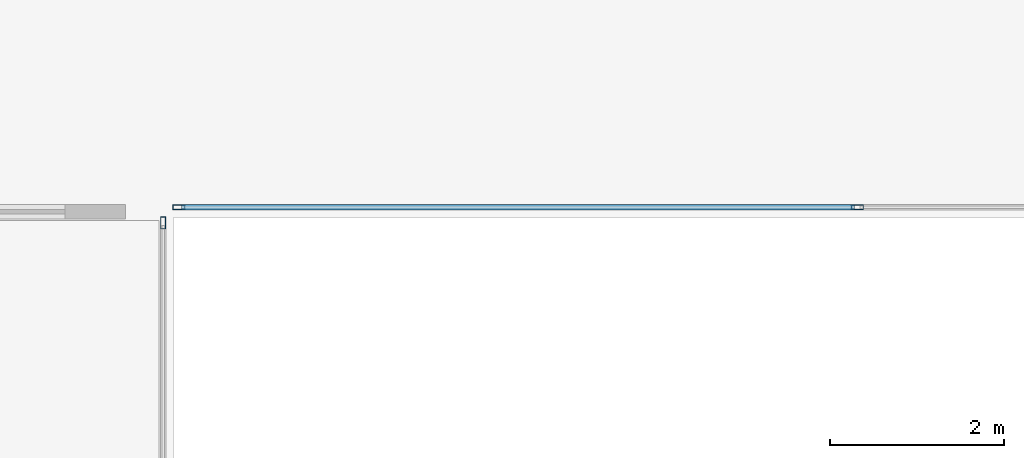
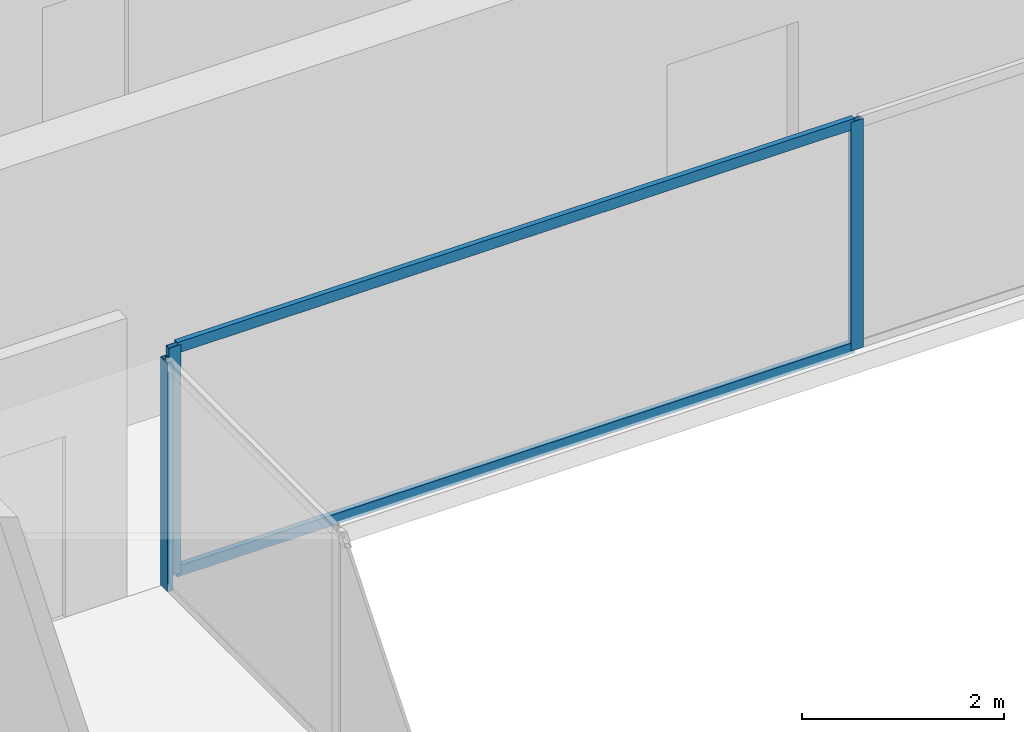
# One storey, part 10 of 29: 5 members, 2 elements without a shape of their own.
"""IFC4 building model written with IfcOpenShell, lengths in metres."""

from ifc_helpers import new_model, si_unit, direction, frame, origin, origin_2d, place, context, subcontext, project, spatial, hollow_rectangle, extrude, source, transform, mapped, material, layer, layer_set, material_profile, profile_set, type_object, element, aggregate, save


model = new_model("IFC4")

# Units and contexts
model_context = context("Model", 3, precision=1e-05, world=origin(), true_north=direction((0.0, 1.0)))
body_context = subcontext(model_context, "Body", "Model", "MODEL_VIEW")
ifc_project = project(units=[si_unit("LENGTHUNIT", "METRE"), si_unit("AREAUNIT", "SQUARE_METRE"), si_unit("VOLUMEUNIT", "CUBIC_METRE"), si_unit("PLANEANGLEUNIT", "RADIAN"), si_unit("MASSUNIT", "GRAM", prefix="KILO")], contexts=[model_context])

# Site, building, storey
site_placement = place(None, origin())
site = spatial("IfcSite", under=ifc_project, at=site_placement, CompositionType="ELEMENT")
building_placement = place(site_placement, origin())
building = spatial("IfcBuilding", under=site, at=building_placement, Name="Sumidabori Civic Tower", CompositionType="ELEMENT")
storey_placement = place(building_placement, frame((0.0, 0.0, 218.0)))
storey = spatial("IfcBuildingStorey", under=building, at=storey_placement, Name="L56", CompositionType="ELEMENT", Elevation=218.0)

# Curtain wall, member
ifc_material = material(Name="Anodised Bronze Aluminium AW-6063-T6", Category="aluminium")
ifc_layer = layer(ifc_material, 0.179931640625, Name="Anodised Bronze Aluminium AW-6063-T6")
ifc_layer_set = layer_set([ifc_layer], Name="Anodised Bronze Aluminium AW-6063-T6")
curtain_wall_type = type_object("IfcCurtainWallType", Name="CW-SYS-4", PredefinedType="NOTDEFINED", material=ifc_layer_set)
curtain_wall_1_placement = place(storey_placement, origin())
curtain_wall_1 = element("IfcCurtainWall", 1, at=curtain_wall_1_placement, inside=storey, type_object=curtain_wall_type, Name="Curtain Wall CW:L56:R04", PredefinedType="NOTDEFINED")
ifc_material_profile_1 = material_profile(ifc_material, hollow_rectangle(XDim=0.06005859375, YDim=0.139892578125, WallThickness=0.0048828125, at=origin_2d()), Name="ALU MULLION 140x60")
ifc_profile_set_1 = profile_set([ifc_material_profile_1], Name="Anodised Bronze Aluminium AW-6063-T6")
member_type_1 = type_object("IfcMemberType", Name="CW-MUL-140", PredefinedType="MULLION", material=ifc_profile_set_1)
shared_shape_1 = source(origin(), body_context, "Body", "SweptSolid", [
    extrude(hollow_rectangle(XDim=0.06005859375, YDim=0.139892578125, WallThickness=0.0048828125, at=origin_2d()), origin(), (0.0, 0.0, 1.0), 2.760009765625),
])
member_1_placement = place(storey_placement, frame((-7.969970703125, 7.340087890625, 0.0), z_axis=(0.0, 0.0, 1.0), x_axis=(-1.0, 0.0, 0.0)))
member_1 = element("IfcMember", 2, at=member_1_placement, type_object=member_type_1, Name="CW-4 mullion 3", PredefinedType="MULLION", context=body_context, shape_type="MappedRepresentation", body=[
    mapped(shared_shape_1, transform((0.0, 0.0, 0.0), x_axis=(1.0, 0.0, 0.0), y_axis=(0.0, 1.0, 0.0), z_axis=(0.0, 0.0, 1.0), scale=1.0)),
])
aggregate(curtain_wall_1, [member_1])

# Curtain wall, members
curtain_wall_2_placement = place(storey_placement, origin())
curtain_wall_2 = element("IfcCurtainWall", 3, at=curtain_wall_2_placement, inside=storey, type_object=curtain_wall_type, Name="Curtain Wall CW:L56:R05", PredefinedType="NOTDEFINED")
member_2_placement = place(storey_placement, frame((-7.7900390625, 7.52001953125, 0.0), z_axis=(0.0, 0.0, 1.0), x_axis=(0.0, 1.0, 0.0)))
member_2 = element("IfcMember", 4, at=member_2_placement, type_object=member_type_1, Name="CW-4 mullion 1", PredefinedType="MULLION", context=body_context, shape_type="MappedRepresentation", body=[
    mapped(shared_shape_1, transform((0.0, 0.0, 0.0), x_axis=(1.0, 0.0, 0.0), y_axis=(0.0, 1.0, 0.0), z_axis=(0.0, 0.0, 1.0), scale=1.0)),
])
member_3_placement = place(storey_placement, frame((0.0, 7.52001953125, 0.0), z_axis=(0.0, 0.0, 1.0), x_axis=(0.0, 1.0, 0.0)))
member_3 = element("IfcMember", 5, at=member_3_placement, type_object=member_type_1, Name="CW-4 mullion 2", PredefinedType="MULLION", context=body_context, shape_type="MappedRepresentation", body=[
    mapped(shared_shape_1, transform((0.0, 0.0, 0.0), x_axis=(1.0, 0.0, 0.0), y_axis=(0.0, 1.0, 0.0), z_axis=(0.0, 0.0, 1.0), scale=1.0)),
])
ifc_material_profile_2 = material_profile(ifc_material, hollow_rectangle(XDim=0.06005859375, YDim=0.1298828125, WallThickness=0.0048828125, at=origin_2d()), Name="ALU TRANSOM 130x60")
ifc_profile_set_2 = profile_set([ifc_material_profile_2], Name="Anodised Bronze Aluminium AW-6063-T6")
member_type_2 = type_object("IfcMemberType", Name="CW-TRN-130", PredefinedType="USERDEFINED", material=ifc_profile_set_2)
shared_shape_2 = source(origin(), body_context, "Body", "SweptSolid", [
    extrude(hollow_rectangle(XDim=0.06005859375, YDim=0.1298828125, WallThickness=0.0048828125, at=origin_2d()), origin(), (0.0, 0.0, 1.0), 7.72998046875),
])
member_4_placement = place(storey_placement, frame((-7.760009765625, 7.52001953125, 0.030029296875), z_axis=(1.0, 0.0, 0.0), x_axis=(0.0, 1.0, 0.0)))
member_4 = element("IfcMember", 6, at=member_4_placement, type_object=member_type_2, Name="CW-4 transom 1.1", ObjectType="TRANSOM", PredefinedType="USERDEFINED", context=body_context, shape_type="MappedRepresentation", body=[
    mapped(shared_shape_2, transform((0.0, 0.0, 0.0), x_axis=(1.0, 0.0, 0.0), y_axis=(0.0, 1.0, 0.0), z_axis=(0.0, 0.0, 1.0), scale=1.0)),
])
member_5_placement = place(storey_placement, frame((-7.760009765625, 7.52001953125, 2.72998046875), z_axis=(1.0, 0.0, 0.0), x_axis=(0.0, 1.0, 0.0)))
member_5 = element("IfcMember", 7, at=member_5_placement, type_object=member_type_2, Name="CW-4 transom 1.2", ObjectType="TRANSOM", PredefinedType="USERDEFINED", context=body_context, shape_type="MappedRepresentation", body=[
    mapped(shared_shape_2, transform((0.0, 0.0, 0.0), x_axis=(1.0, 0.0, 0.0), y_axis=(0.0, 1.0, 0.0), z_axis=(0.0, 0.0, 1.0), scale=1.0)),
])
aggregate(curtain_wall_2, [member_2, member_3, member_4, member_5])

save(model, "model.ifc")
